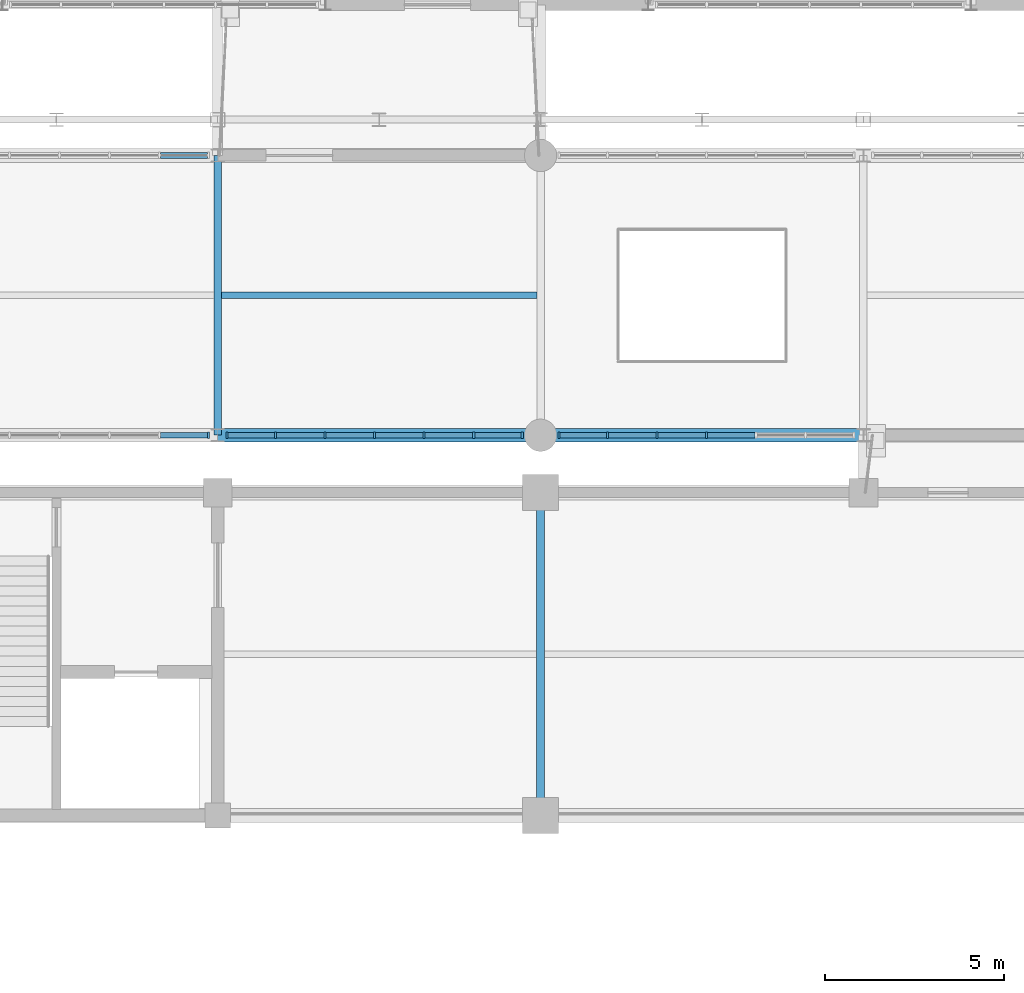
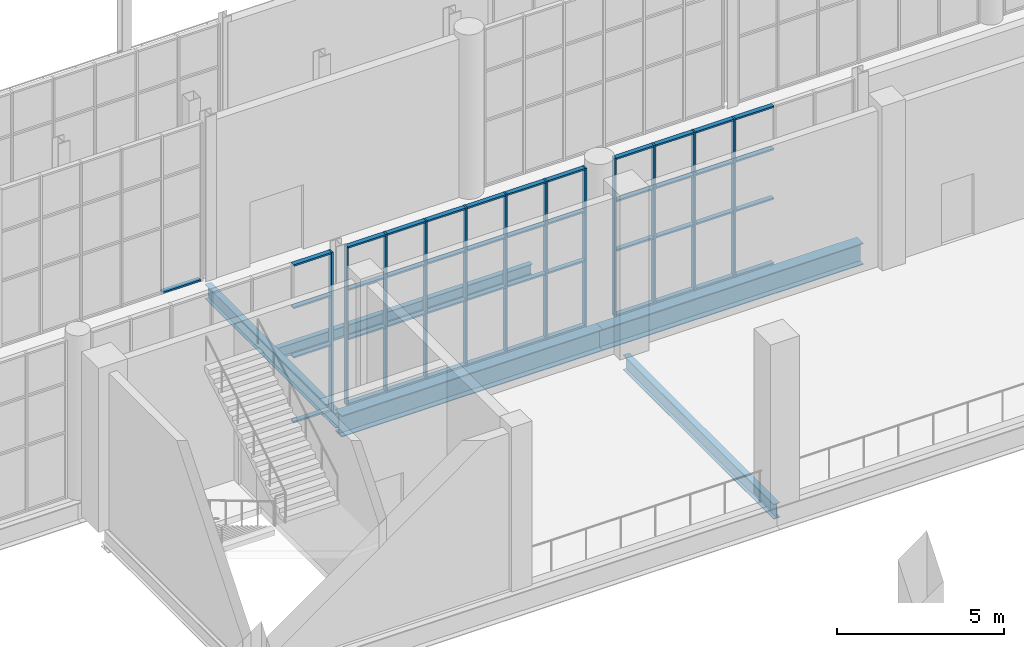
# One storey, part 40 of 159: 57 members, 5 beams, 4 elements without a shape of their own.
"""IFC4 building model written with IfcOpenShell, lengths in metres."""

from ifc_helpers import new_model, si_unit, direction, frame, origin, origin_2d, place, context, subcontext, project, spatial, rectangle, i_section, extrude, material, layer, layer_set, material_profile, profile_set, type_object, element, aggregate, save


model = new_model("IFC4")

# Units and contexts
model_context = context("Model", 3, precision=1e-05, world=origin(), true_north=direction((0.0, 1.0)))
body_context = subcontext(model_context, "Body", "Model", "MODEL_VIEW")
ifc_project = project(units=[si_unit("LENGTHUNIT", "METRE"), si_unit("AREAUNIT", "SQUARE_METRE"), si_unit("VOLUMEUNIT", "CUBIC_METRE"), si_unit("PLANEANGLEUNIT", "RADIAN"), si_unit("MASSUNIT", "GRAM", prefix="KILO")], contexts=[model_context])

# Site, building, storey
site_placement = place(None, origin())
site = spatial("IfcSite", under=ifc_project, at=site_placement, CompositionType="ELEMENT")
building_placement = place(site_placement, origin())
building = spatial("IfcBuilding", under=site, at=building_placement, Name="Cazmaro Siding Exhibition Halls", CompositionType="ELEMENT")
storey_placement = place(building_placement, frame((0.0, 0.0, 6.0)))
storey = spatial("IfcBuildingStorey", under=building, at=storey_placement, Name="L01", CompositionType="ELEMENT", Elevation=6.0)

# Beams
ifc_material_1 = material(Name="Steel ASTM A992 Grade 50", Category="steel")
ifc_material_profile_1 = material_profile(ifc_material_1, i_section(OverallWidth=0.214111328125, OverallDepth=0.549072265625, WebThickness=0.014892578125, FlangeThickness=0.02392578125, at=origin_2d()), Name="W21X93")
ifc_profile_set_1 = profile_set([ifc_material_profile_1], Name="Steel ASTM A992 Grade 50")
beam_type_1 = type_object("IfcBeamType", Name="B-01", PredefinedType="BEAM", material=ifc_profile_set_1)
beam_1_placement = place(storey_placement, frame((90.0, 44.60009765625, -0.52392578125), z_axis=(0.0, 1.0, 0.0), x_axis=(-1.0, 0.0, 0.0)))
element("IfcBeam", 1, at=beam_1_placement, inside=storey, type_object=beam_type_1, Name="Beam B-01 BM-1279", PredefinedType="BEAM", context=body_context, shape_type="SweptSolid", body=[
    extrude(i_section(OverallWidth=0.214111328125, OverallDepth=0.549072265625, WebThickness=0.014892578125, FlangeThickness=0.02392578125, at=origin_2d()), origin(), (0.0, 0.0, 1.0), 9.0),
])
ifc_material_2 = material(Name="Steel ASTM A992 Grade 50", Category="steel")
ifc_material_profile_2 = material_profile(ifc_material_2, i_section(OverallWidth=0.2099609375, OverallDepth=0.535888671875, WebThickness=0.010986328125, FlangeThickness=0.01708984375, at=origin_2d()), Name="W21X68")
ifc_profile_set_2 = profile_set([ifc_material_profile_2], Name="Steel ASTM A992 Grade 50")
beam_type_2 = type_object("IfcBeamType", Name="B-02", PredefinedType="BEAM", material=ifc_profile_set_2)
beam_2_placement = place(storey_placement, frame((81.0, 55.199951171875, -0.488037109375), z_axis=(0.0, 1.0, 0.0), x_axis=(-1.0, 0.0, 0.0)))
element("IfcBeam", 2, at=beam_2_placement, inside=storey, type_object=beam_type_2, Name="Beam B-02 BM-1699", PredefinedType="BEAM", context=body_context, shape_type="SweptSolid", body=[
    extrude(i_section(OverallWidth=0.2099609375, OverallDepth=0.535888671875, WebThickness=0.010986328125, FlangeThickness=0.01708984375, at=origin_2d()), origin(), (0.0, 0.0, 1.0), 7.800048828125),
])

# Curtain wall, member
ifc_material_3 = material(Name="Anodized Bronze Aluminum and Solar-Control Low-E Glazing", Category="aluminium")
ifc_layer = layer(ifc_material_3, 0.179931640625)
ifc_layer_set = layer_set([ifc_layer], Name="Anodized Bronze Aluminum and Solar-Control Low-E Glazing")
curtain_wall_type = type_object("IfcCurtainWallType", Name="CWS-01", PredefinedType="USERDEFINED", material=ifc_layer_set)
curtain_wall_1_placement = place(storey_placement, origin())
curtain_wall_1 = element("IfcCurtainWall", 3, at=curtain_wall_1_placement, inside=storey, type_object=curtain_wall_type, Name="Glazed Curtain Wall CWS-01 CW-163", ObjectType="GLAZED CURTAIN WALL", PredefinedType="USERDEFINED")
ifc_material_4 = material(Name="Anodized Bronze Extruded Aluminum", Category="aluminium")
ifc_material_profile_3 = material_profile(ifc_material_4, rectangle(XDim=0.179931640625, YDim=0.06005859375, at=origin_2d()), Name="CWM-01")
ifc_profile_set_3 = profile_set([ifc_material_profile_3], Name="Anodized Bronze Extruded Aluminum")
member_type_1 = type_object("IfcMemberType", Name="CWM-01", PredefinedType="MULLION", material=ifc_profile_set_3)
member_1_placement = place(storey_placement, frame((80.739990234375, 55.199951171875, 0.0), z_axis=(0.0, 0.0, 1.0), x_axis=(0.0, 1.0, 0.0)))
member_1 = element("IfcMember", 4, at=member_1_placement, type_object=member_type_1, Name="CWS-01 mullion 7", PredefinedType="MULLION", context=body_context, shape_type="SweptSolid", body=[
    extrude(rectangle(XDim=0.179931640625, YDim=0.06005859375, at=origin_2d()), origin(), (0.0, 0.0, 1.0), 5.780029296875),
])

# Curtain wall, members
curtain_wall_2_placement = place(storey_placement, origin())
curtain_wall_2 = element("IfcCurtainWall", 5, at=curtain_wall_2_placement, inside=storey, type_object=curtain_wall_type, Name="Glazed Curtain Wall CWS-01 CW-168", ObjectType="GLAZED CURTAIN WALL", PredefinedType="USERDEFINED")
member_2_placement = place(storey_placement, frame((81.260009765625, 55.199951171875, 0.0), z_axis=(0.0, 0.0, 1.0), x_axis=(0.0, 1.0, 0.0)))
member_2 = element("IfcMember", 6, at=member_2_placement, type_object=member_type_1, Name="CWS-01 mullion 1", PredefinedType="MULLION", context=body_context, shape_type="SweptSolid", body=[
    extrude(rectangle(XDim=0.179931640625, YDim=0.06005859375, at=origin_2d()), origin(), (0.0, 0.0, 1.0), 5.780029296875),
])
member_3_placement = place(storey_placement, frame((82.611083984375, 55.199951171875, 0.0), z_axis=(0.0, 0.0, 1.0), x_axis=(0.0, 1.0, 0.0)))
member_3 = element("IfcMember", 7, at=member_3_placement, type_object=member_type_1, Name="CWS-01 mullion 2", PredefinedType="MULLION", context=body_context, shape_type="SweptSolid", body=[
    extrude(rectangle(XDim=0.179931640625, YDim=0.06005859375, at=origin_2d()), origin(), (0.0, 0.0, 1.0), 5.780029296875),
])
member_4_placement = place(storey_placement, frame((83.992431640625, 55.199951171875, 0.0), z_axis=(0.0, 0.0, 1.0), x_axis=(0.0, 1.0, 0.0)))
member_4 = element("IfcMember", 8, at=member_4_placement, type_object=member_type_1, Name="CWS-01 mullion 3", PredefinedType="MULLION", context=body_context, shape_type="SweptSolid", body=[
    extrude(rectangle(XDim=0.179931640625, YDim=0.06005859375, at=origin_2d()), origin(), (0.0, 0.0, 1.0), 5.780029296875),
])
member_5_placement = place(storey_placement, frame((85.37353515625, 55.199951171875, 0.0), z_axis=(0.0, 0.0, 1.0), x_axis=(0.0, 1.0, 0.0)))
member_5 = element("IfcMember", 9, at=member_5_placement, type_object=member_type_1, Name="CWS-01 mullion 4", PredefinedType="MULLION", context=body_context, shape_type="SweptSolid", body=[
    extrude(rectangle(XDim=0.179931640625, YDim=0.06005859375, at=origin_2d()), origin(), (0.0, 0.0, 1.0), 5.780029296875),
])
member_6_placement = place(storey_placement, frame((86.754638671875, 55.199951171875, 0.0), z_axis=(0.0, 0.0, 1.0), x_axis=(0.0, 1.0, 0.0)))
member_6 = element("IfcMember", 10, at=member_6_placement, type_object=member_type_1, Name="CWS-01 mullion 5", PredefinedType="MULLION", context=body_context, shape_type="SweptSolid", body=[
    extrude(rectangle(XDim=0.179931640625, YDim=0.06005859375, at=origin_2d()), origin(), (0.0, 0.0, 1.0), 5.780029296875),
])
member_7_placement = place(storey_placement, frame((88.1357421875, 55.199951171875, 0.0), z_axis=(0.0, 0.0, 1.0), x_axis=(0.0, 1.0, 0.0)))
member_7 = element("IfcMember", 11, at=member_7_placement, type_object=member_type_1, Name="CWS-01 mullion 6", PredefinedType="MULLION", context=body_context, shape_type="SweptSolid", body=[
    extrude(rectangle(XDim=0.179931640625, YDim=0.06005859375, at=origin_2d()), origin(), (0.0, 0.0, 1.0), 5.780029296875),
])
member_8_placement = place(storey_placement, frame((89.487060546875, 55.199951171875, 0.0), z_axis=(0.0, 0.0, 1.0), x_axis=(0.0, 1.0, 0.0)))
member_8 = element("IfcMember", 12, at=member_8_placement, type_object=member_type_1, Name="CWS-01 mullion 7", PredefinedType="MULLION", context=body_context, shape_type="SweptSolid", body=[
    extrude(rectangle(XDim=0.179931640625, YDim=0.06005859375, at=origin_2d()), origin(), (0.0, 0.0, 1.0), 5.780029296875),
])

curtain_wall_3_placement = place(storey_placement, origin())
curtain_wall_3 = element("IfcCurtainWall", 13, at=curtain_wall_3_placement, inside=storey, type_object=curtain_wall_type, Name="Glazed Curtain Wall CWS-01 CW-172", ObjectType="GLAZED CURTAIN WALL", PredefinedType="USERDEFINED")
member_9_placement = place(storey_placement, frame((90.512939453125, 55.199951171875, 0.0), z_axis=(0.0, 0.0, 1.0), x_axis=(0.0, 1.0, 0.0)))
member_9 = element("IfcMember", 14, at=member_9_placement, type_object=member_type_1, Name="CWS-01 mullion 1", PredefinedType="MULLION", context=body_context, shape_type="SweptSolid", body=[
    extrude(rectangle(XDim=0.179931640625, YDim=0.06005859375, at=origin_2d()), origin(), (0.0, 0.0, 1.0), 5.780029296875),
])
member_10_placement = place(storey_placement, frame((91.8642578125, 55.199951171875, 0.0), z_axis=(0.0, 0.0, 1.0), x_axis=(0.0, 1.0, 0.0)))
member_10 = element("IfcMember", 15, at=member_10_placement, type_object=member_type_1, Name="CWS-01 mullion 2", PredefinedType="MULLION", context=body_context, shape_type="SweptSolid", body=[
    extrude(rectangle(XDim=0.179931640625, YDim=0.06005859375, at=origin_2d()), origin(), (0.0, 0.0, 1.0), 5.780029296875),
])
member_11_placement = place(storey_placement, frame((93.245361328125, 55.199951171875, 0.0), z_axis=(0.0, 0.0, 1.0), x_axis=(0.0, 1.0, 0.0)))
member_11 = element("IfcMember", 16, at=member_11_placement, type_object=member_type_1, Name="CWS-01 mullion 3", PredefinedType="MULLION", context=body_context, shape_type="SweptSolid", body=[
    extrude(rectangle(XDim=0.179931640625, YDim=0.06005859375, at=origin_2d()), origin(), (0.0, 0.0, 1.0), 5.780029296875),
])
member_12_placement = place(storey_placement, frame((94.62646484375, 55.199951171875, 0.0), z_axis=(0.0, 0.0, 1.0), x_axis=(0.0, 1.0, 0.0)))
member_12 = element("IfcMember", 17, at=member_12_placement, type_object=member_type_1, Name="CWS-01 mullion 4", PredefinedType="MULLION", context=body_context, shape_type="SweptSolid", body=[
    extrude(rectangle(XDim=0.179931640625, YDim=0.06005859375, at=origin_2d()), origin(), (0.0, 0.0, 1.0), 5.780029296875),
])

# Member
ifc_material_5 = material(Name="Anodized Bronze Extruded Aluminum", Category="aluminium")
ifc_material_profile_4 = material_profile(ifc_material_5, rectangle(XDim=0.159912109375, YDim=0.06005859375, at=origin_2d()), Name="CWT-01")
ifc_profile_set_4 = profile_set([ifc_material_profile_4], Name="Anodized Bronze Extruded Aluminum")
member_type_2 = type_object("IfcMemberType", Name="CWT-01", PredefinedType="MULLION", material=ifc_profile_set_4)
member_13_placement = place(storey_placement, frame((79.40625, 55.199951171875, 0.030029296875), z_axis=(1.0, 0.0, 0.0), x_axis=(0.0, 1.0, 0.0)))
member_13 = element("IfcMember", 18, at=member_13_placement, type_object=member_type_2, Name="CWS-01 transom 6.1", ObjectType="TRANSOM", PredefinedType="USERDEFINED", context=body_context, shape_type="SweptSolid", body=[
    extrude(rectangle(XDim=0.159912109375, YDim=0.06005859375, at=origin_2d()), origin(), (0.0, 0.0, 1.0), 1.3037109375),
])

member_14_placement = place(storey_placement, frame((79.40625, 55.199951171875, 2.39990234375), z_axis=(1.0, 0.0, 0.0), x_axis=(0.0, 1.0, 0.0)))
member_14 = element("IfcMember", 19, at=member_14_placement, type_object=member_type_2, Name="CWS-01 transom 6.2", ObjectType="TRANSOM", PredefinedType="USERDEFINED", context=body_context, shape_type="SweptSolid", body=[
    extrude(rectangle(XDim=0.159912109375, YDim=0.06005859375, at=origin_2d()), origin(), (0.0, 0.0, 1.0), 1.3037109375),
])

member_15_placement = place(storey_placement, frame((79.40625, 55.199951171875, 4.199951171875), z_axis=(1.0, 0.0, 0.0), x_axis=(0.0, 1.0, 0.0)))
member_15 = element("IfcMember", 20, at=member_15_placement, type_object=member_type_2, Name="CWS-01 transom 6.3", ObjectType="TRANSOM", PredefinedType="USERDEFINED", context=body_context, shape_type="SweptSolid", body=[
    extrude(rectangle(XDim=0.159912109375, YDim=0.06005859375, at=origin_2d()), origin(), (0.0, 0.0, 1.0), 1.3037109375),
])

member_16_placement = place(storey_placement, frame((79.40625, 55.199951171875, 5.75), z_axis=(1.0, 0.0, 0.0), x_axis=(0.0, 1.0, 0.0)))
member_16 = element("IfcMember", 21, at=member_16_placement, type_object=member_type_2, Name="CWS-01 transom 6.4", ObjectType="TRANSOM", PredefinedType="USERDEFINED", context=body_context, shape_type="SweptSolid", body=[
    extrude(rectangle(XDim=0.159912109375, YDim=0.06005859375, at=origin_2d()), origin(), (0.0, 0.0, 1.0), 1.3037109375),
])

aggregate(curtain_wall_1, [member_1, member_13, member_14, member_15, member_16])

# Curtain wall, member
curtain_wall_4_placement = place(storey_placement, origin())
curtain_wall_4 = element("IfcCurtainWall", 22, at=curtain_wall_4_placement, inside=storey, type_object=curtain_wall_type, Name="Glazed Curtain Wall CWS-01 CW-165", ObjectType="GLAZED CURTAIN WALL", PredefinedType="USERDEFINED")
member_17_placement = place(storey_placement, frame((80.7099609375, 63.0, 0.030029296875), z_axis=(-1.0, 0.0, 0.0), x_axis=(0.0, -1.0, 0.0)))
member_17 = element("IfcMember", 23, at=member_17_placement, type_object=member_type_2, Name="CWS-01 transom 1.1", ObjectType="TRANSOM", PredefinedType="USERDEFINED", context=body_context, shape_type="SweptSolid", body=[
    extrude(rectangle(XDim=0.159912109375, YDim=0.06005859375, at=origin_2d()), origin(), (0.0, 0.0, 1.0), 1.3037109375),
])
aggregate(curtain_wall_4, [member_17])

# Member
member_18_placement = place(storey_placement, frame((81.2900390625, 55.199951171875, 0.030029296875), z_axis=(1.0, 0.0, 0.0), x_axis=(0.0, 1.0, 0.0)))
member_18 = element("IfcMember", 24, at=member_18_placement, type_object=member_type_2, Name="CWS-01 transom 1.1", ObjectType="TRANSOM", PredefinedType="USERDEFINED", context=body_context, shape_type="SweptSolid", body=[
    extrude(rectangle(XDim=0.159912109375, YDim=0.06005859375, at=origin_2d()), origin(), (0.0, 0.0, 1.0), 1.291015625),
])

member_19_placement = place(storey_placement, frame((81.2900390625, 55.199951171875, 2.39990234375), z_axis=(1.0, 0.0, 0.0), x_axis=(0.0, 1.0, 0.0)))
member_19 = element("IfcMember", 25, at=member_19_placement, type_object=member_type_2, Name="CWS-01 transom 1.2", ObjectType="TRANSOM", PredefinedType="USERDEFINED", context=body_context, shape_type="SweptSolid", body=[
    extrude(rectangle(XDim=0.159912109375, YDim=0.06005859375, at=origin_2d()), origin(), (0.0, 0.0, 1.0), 1.291015625),
])

member_20_placement = place(storey_placement, frame((81.2900390625, 55.199951171875, 4.199951171875), z_axis=(1.0, 0.0, 0.0), x_axis=(0.0, 1.0, 0.0)))
member_20 = element("IfcMember", 26, at=member_20_placement, type_object=member_type_2, Name="CWS-01 transom 1.3", ObjectType="TRANSOM", PredefinedType="USERDEFINED", context=body_context, shape_type="SweptSolid", body=[
    extrude(rectangle(XDim=0.159912109375, YDim=0.06005859375, at=origin_2d()), origin(), (0.0, 0.0, 1.0), 1.291015625),
])

member_21_placement = place(storey_placement, frame((81.2900390625, 55.199951171875, 5.75), z_axis=(1.0, 0.0, 0.0), x_axis=(0.0, 1.0, 0.0)))
member_21 = element("IfcMember", 27, at=member_21_placement, type_object=member_type_2, Name="CWS-01 transom 1.4", ObjectType="TRANSOM", PredefinedType="USERDEFINED", context=body_context, shape_type="SweptSolid", body=[
    extrude(rectangle(XDim=0.159912109375, YDim=0.06005859375, at=origin_2d()), origin(), (0.0, 0.0, 1.0), 1.291015625),
])

member_22_placement = place(storey_placement, frame((82.64111328125, 55.199951171875, 0.030029296875), z_axis=(1.0, 0.0, 0.0), x_axis=(0.0, 1.0, 0.0)))
member_22 = element("IfcMember", 28, at=member_22_placement, type_object=member_type_2, Name="CWS-01 transom 2.1", ObjectType="TRANSOM", PredefinedType="USERDEFINED", context=body_context, shape_type="SweptSolid", body=[
    extrude(rectangle(XDim=0.159912109375, YDim=0.06005859375, at=origin_2d()), origin(), (0.0, 0.0, 1.0), 1.3212890625),
])

member_23_placement = place(storey_placement, frame((82.64111328125, 55.199951171875, 2.39990234375), z_axis=(1.0, 0.0, 0.0), x_axis=(0.0, 1.0, 0.0)))
member_23 = element("IfcMember", 29, at=member_23_placement, type_object=member_type_2, Name="CWS-01 transom 2.2", ObjectType="TRANSOM", PredefinedType="USERDEFINED", context=body_context, shape_type="SweptSolid", body=[
    extrude(rectangle(XDim=0.159912109375, YDim=0.06005859375, at=origin_2d()), origin(), (0.0, 0.0, 1.0), 1.3212890625),
])

member_24_placement = place(storey_placement, frame((82.64111328125, 55.199951171875, 4.199951171875), z_axis=(1.0, 0.0, 0.0), x_axis=(0.0, 1.0, 0.0)))
member_24 = element("IfcMember", 30, at=member_24_placement, type_object=member_type_2, Name="CWS-01 transom 2.3", ObjectType="TRANSOM", PredefinedType="USERDEFINED", context=body_context, shape_type="SweptSolid", body=[
    extrude(rectangle(XDim=0.159912109375, YDim=0.06005859375, at=origin_2d()), origin(), (0.0, 0.0, 1.0), 1.3212890625),
])

member_25_placement = place(storey_placement, frame((82.64111328125, 55.199951171875, 5.75), z_axis=(1.0, 0.0, 0.0), x_axis=(0.0, 1.0, 0.0)))
member_25 = element("IfcMember", 31, at=member_25_placement, type_object=member_type_2, Name="CWS-01 transom 2.4", ObjectType="TRANSOM", PredefinedType="USERDEFINED", context=body_context, shape_type="SweptSolid", body=[
    extrude(rectangle(XDim=0.159912109375, YDim=0.06005859375, at=origin_2d()), origin(), (0.0, 0.0, 1.0), 1.3212890625),
])

member_26_placement = place(storey_placement, frame((84.022216796875, 55.199951171875, 0.030029296875), z_axis=(1.0, 0.0, 0.0), x_axis=(0.0, 1.0, 0.0)))
member_26 = element("IfcMember", 32, at=member_26_placement, type_object=member_type_2, Name="CWS-01 transom 3.1", ObjectType="TRANSOM", PredefinedType="USERDEFINED", context=body_context, shape_type="SweptSolid", body=[
    extrude(rectangle(XDim=0.159912109375, YDim=0.06005859375, at=origin_2d()), origin(), (0.0, 0.0, 1.0), 1.3212890625),
])

member_27_placement = place(storey_placement, frame((84.022216796875, 55.199951171875, 2.39990234375), z_axis=(1.0, 0.0, 0.0), x_axis=(0.0, 1.0, 0.0)))
member_27 = element("IfcMember", 33, at=member_27_placement, type_object=member_type_2, Name="CWS-01 transom 3.2", ObjectType="TRANSOM", PredefinedType="USERDEFINED", context=body_context, shape_type="SweptSolid", body=[
    extrude(rectangle(XDim=0.159912109375, YDim=0.06005859375, at=origin_2d()), origin(), (0.0, 0.0, 1.0), 1.3212890625),
])

member_28_placement = place(storey_placement, frame((84.022216796875, 55.199951171875, 4.199951171875), z_axis=(1.0, 0.0, 0.0), x_axis=(0.0, 1.0, 0.0)))
member_28 = element("IfcMember", 34, at=member_28_placement, type_object=member_type_2, Name="CWS-01 transom 3.3", ObjectType="TRANSOM", PredefinedType="USERDEFINED", context=body_context, shape_type="SweptSolid", body=[
    extrude(rectangle(XDim=0.159912109375, YDim=0.06005859375, at=origin_2d()), origin(), (0.0, 0.0, 1.0), 1.3212890625),
])

member_29_placement = place(storey_placement, frame((84.022216796875, 55.199951171875, 5.75), z_axis=(1.0, 0.0, 0.0), x_axis=(0.0, 1.0, 0.0)))
member_29 = element("IfcMember", 35, at=member_29_placement, type_object=member_type_2, Name="CWS-01 transom 3.4", ObjectType="TRANSOM", PredefinedType="USERDEFINED", context=body_context, shape_type="SweptSolid", body=[
    extrude(rectangle(XDim=0.159912109375, YDim=0.06005859375, at=origin_2d()), origin(), (0.0, 0.0, 1.0), 1.3212890625),
])

member_30_placement = place(storey_placement, frame((85.403564453125, 55.199951171875, 0.030029296875), z_axis=(1.0, 0.0, 0.0), x_axis=(0.0, 1.0, 0.0)))
member_30 = element("IfcMember", 36, at=member_30_placement, type_object=member_type_2, Name="CWS-01 transom 4.1", ObjectType="TRANSOM", PredefinedType="USERDEFINED", context=body_context, shape_type="SweptSolid", body=[
    extrude(rectangle(XDim=0.159912109375, YDim=0.06005859375, at=origin_2d()), origin(), (0.0, 0.0, 1.0), 1.321044921875),
])

member_31_placement = place(storey_placement, frame((85.403564453125, 55.199951171875, 2.39990234375), z_axis=(1.0, 0.0, 0.0), x_axis=(0.0, 1.0, 0.0)))
member_31 = element("IfcMember", 37, at=member_31_placement, type_object=member_type_2, Name="CWS-01 transom 4.2", ObjectType="TRANSOM", PredefinedType="USERDEFINED", context=body_context, shape_type="SweptSolid", body=[
    extrude(rectangle(XDim=0.159912109375, YDim=0.06005859375, at=origin_2d()), origin(), (0.0, 0.0, 1.0), 1.321044921875),
])

member_32_placement = place(storey_placement, frame((85.403564453125, 55.199951171875, 4.199951171875), z_axis=(1.0, 0.0, 0.0), x_axis=(0.0, 1.0, 0.0)))
member_32 = element("IfcMember", 38, at=member_32_placement, type_object=member_type_2, Name="CWS-01 transom 4.3", ObjectType="TRANSOM", PredefinedType="USERDEFINED", context=body_context, shape_type="SweptSolid", body=[
    extrude(rectangle(XDim=0.159912109375, YDim=0.06005859375, at=origin_2d()), origin(), (0.0, 0.0, 1.0), 1.321044921875),
])

member_33_placement = place(storey_placement, frame((85.403564453125, 55.199951171875, 5.75), z_axis=(1.0, 0.0, 0.0), x_axis=(0.0, 1.0, 0.0)))
member_33 = element("IfcMember", 39, at=member_33_placement, type_object=member_type_2, Name="CWS-01 transom 4.4", ObjectType="TRANSOM", PredefinedType="USERDEFINED", context=body_context, shape_type="SweptSolid", body=[
    extrude(rectangle(XDim=0.159912109375, YDim=0.06005859375, at=origin_2d()), origin(), (0.0, 0.0, 1.0), 1.321044921875),
])

member_34_placement = place(storey_placement, frame((86.78466796875, 55.199951171875, 0.030029296875), z_axis=(1.0, 0.0, 0.0), x_axis=(0.0, 1.0, 0.0)))
member_34 = element("IfcMember", 40, at=member_34_placement, type_object=member_type_2, Name="CWS-01 transom 5.1", ObjectType="TRANSOM", PredefinedType="USERDEFINED", context=body_context, shape_type="SweptSolid", body=[
    extrude(rectangle(XDim=0.159912109375, YDim=0.06005859375, at=origin_2d()), origin(), (0.0, 0.0, 1.0), 1.321044921875),
])

member_35_placement = place(storey_placement, frame((86.78466796875, 55.199951171875, 2.39990234375), z_axis=(1.0, 0.0, 0.0), x_axis=(0.0, 1.0, 0.0)))
member_35 = element("IfcMember", 41, at=member_35_placement, type_object=member_type_2, Name="CWS-01 transom 5.2", ObjectType="TRANSOM", PredefinedType="USERDEFINED", context=body_context, shape_type="SweptSolid", body=[
    extrude(rectangle(XDim=0.159912109375, YDim=0.06005859375, at=origin_2d()), origin(), (0.0, 0.0, 1.0), 1.321044921875),
])

member_36_placement = place(storey_placement, frame((86.78466796875, 55.199951171875, 4.199951171875), z_axis=(1.0, 0.0, 0.0), x_axis=(0.0, 1.0, 0.0)))
member_36 = element("IfcMember", 42, at=member_36_placement, type_object=member_type_2, Name="CWS-01 transom 5.3", ObjectType="TRANSOM", PredefinedType="USERDEFINED", context=body_context, shape_type="SweptSolid", body=[
    extrude(rectangle(XDim=0.159912109375, YDim=0.06005859375, at=origin_2d()), origin(), (0.0, 0.0, 1.0), 1.321044921875),
])

member_37_placement = place(storey_placement, frame((86.78466796875, 55.199951171875, 5.75), z_axis=(1.0, 0.0, 0.0), x_axis=(0.0, 1.0, 0.0)))
member_37 = element("IfcMember", 43, at=member_37_placement, type_object=member_type_2, Name="CWS-01 transom 5.4", ObjectType="TRANSOM", PredefinedType="USERDEFINED", context=body_context, shape_type="SweptSolid", body=[
    extrude(rectangle(XDim=0.159912109375, YDim=0.06005859375, at=origin_2d()), origin(), (0.0, 0.0, 1.0), 1.321044921875),
])

member_38_placement = place(storey_placement, frame((88.165771484375, 55.199951171875, 0.030029296875), z_axis=(1.0, 0.0, 0.0), x_axis=(0.0, 1.0, 0.0)))
member_38 = element("IfcMember", 44, at=member_38_placement, type_object=member_type_2, Name="CWS-01 transom 6.1", ObjectType="TRANSOM", PredefinedType="USERDEFINED", context=body_context, shape_type="SweptSolid", body=[
    extrude(rectangle(XDim=0.159912109375, YDim=0.06005859375, at=origin_2d()), origin(), (0.0, 0.0, 1.0), 1.291259765625),
])

member_39_placement = place(storey_placement, frame((88.165771484375, 55.199951171875, 2.39990234375), z_axis=(1.0, 0.0, 0.0), x_axis=(0.0, 1.0, 0.0)))
member_39 = element("IfcMember", 45, at=member_39_placement, type_object=member_type_2, Name="CWS-01 transom 6.2", ObjectType="TRANSOM", PredefinedType="USERDEFINED", context=body_context, shape_type="SweptSolid", body=[
    extrude(rectangle(XDim=0.159912109375, YDim=0.06005859375, at=origin_2d()), origin(), (0.0, 0.0, 1.0), 1.291259765625),
])

member_40_placement = place(storey_placement, frame((88.165771484375, 55.199951171875, 4.199951171875), z_axis=(1.0, 0.0, 0.0), x_axis=(0.0, 1.0, 0.0)))
member_40 = element("IfcMember", 46, at=member_40_placement, type_object=member_type_2, Name="CWS-01 transom 6.3", ObjectType="TRANSOM", PredefinedType="USERDEFINED", context=body_context, shape_type="SweptSolid", body=[
    extrude(rectangle(XDim=0.159912109375, YDim=0.06005859375, at=origin_2d()), origin(), (0.0, 0.0, 1.0), 1.291259765625),
])

member_41_placement = place(storey_placement, frame((88.165771484375, 55.199951171875, 5.75), z_axis=(1.0, 0.0, 0.0), x_axis=(0.0, 1.0, 0.0)))
member_41 = element("IfcMember", 47, at=member_41_placement, type_object=member_type_2, Name="CWS-01 transom 6.4", ObjectType="TRANSOM", PredefinedType="USERDEFINED", context=body_context, shape_type="SweptSolid", body=[
    extrude(rectangle(XDim=0.159912109375, YDim=0.06005859375, at=origin_2d()), origin(), (0.0, 0.0, 1.0), 1.291259765625),
])

aggregate(curtain_wall_2, [member_2, member_3, member_4, member_5, member_6, member_7, member_8, member_18, member_19, member_20, member_21, member_22, member_23, member_24, member_25, member_26, member_27, member_28, member_29, member_30, member_31, member_32, member_33, member_34, member_35, member_36, member_37, member_38, member_39, member_40, member_41])

member_42_placement = place(storey_placement, frame((90.54296875, 55.199951171875, 0.030029296875), z_axis=(1.0, 0.0, 0.0), x_axis=(0.0, 1.0, 0.0)))
member_42 = element("IfcMember", 48, at=member_42_placement, type_object=member_type_2, Name="CWS-01 transom 1.1", ObjectType="TRANSOM", PredefinedType="USERDEFINED", context=body_context, shape_type="SweptSolid", body=[
    extrude(rectangle(XDim=0.159912109375, YDim=0.06005859375, at=origin_2d()), origin(), (0.0, 0.0, 1.0), 1.291259765625),
])

member_43_placement = place(storey_placement, frame((90.54296875, 55.199951171875, 2.39990234375), z_axis=(1.0, 0.0, 0.0), x_axis=(0.0, 1.0, 0.0)))
member_43 = element("IfcMember", 49, at=member_43_placement, type_object=member_type_2, Name="CWS-01 transom 1.2", ObjectType="TRANSOM", PredefinedType="USERDEFINED", context=body_context, shape_type="SweptSolid", body=[
    extrude(rectangle(XDim=0.159912109375, YDim=0.06005859375, at=origin_2d()), origin(), (0.0, 0.0, 1.0), 1.291259765625),
])

member_44_placement = place(storey_placement, frame((90.54296875, 55.199951171875, 4.199951171875), z_axis=(1.0, 0.0, 0.0), x_axis=(0.0, 1.0, 0.0)))
member_44 = element("IfcMember", 50, at=member_44_placement, type_object=member_type_2, Name="CWS-01 transom 1.3", ObjectType="TRANSOM", PredefinedType="USERDEFINED", context=body_context, shape_type="SweptSolid", body=[
    extrude(rectangle(XDim=0.159912109375, YDim=0.06005859375, at=origin_2d()), origin(), (0.0, 0.0, 1.0), 1.291259765625),
])

member_45_placement = place(storey_placement, frame((90.54296875, 55.199951171875, 5.75), z_axis=(1.0, 0.0, 0.0), x_axis=(0.0, 1.0, 0.0)))
member_45 = element("IfcMember", 51, at=member_45_placement, type_object=member_type_2, Name="CWS-01 transom 1.4", ObjectType="TRANSOM", PredefinedType="USERDEFINED", context=body_context, shape_type="SweptSolid", body=[
    extrude(rectangle(XDim=0.159912109375, YDim=0.06005859375, at=origin_2d()), origin(), (0.0, 0.0, 1.0), 1.291259765625),
])

member_46_placement = place(storey_placement, frame((91.894287109375, 55.199951171875, 0.030029296875), z_axis=(1.0, 0.0, 0.0), x_axis=(0.0, 1.0, 0.0)))
member_46 = element("IfcMember", 52, at=member_46_placement, type_object=member_type_2, Name="CWS-01 transom 2.1", ObjectType="TRANSOM", PredefinedType="USERDEFINED", context=body_context, shape_type="SweptSolid", body=[
    extrude(rectangle(XDim=0.159912109375, YDim=0.06005859375, at=origin_2d()), origin(), (0.0, 0.0, 1.0), 1.321044921875),
])

member_47_placement = place(storey_placement, frame((91.894287109375, 55.199951171875, 2.39990234375), z_axis=(1.0, 0.0, 0.0), x_axis=(0.0, 1.0, 0.0)))
member_47 = element("IfcMember", 53, at=member_47_placement, type_object=member_type_2, Name="CWS-01 transom 2.2", ObjectType="TRANSOM", PredefinedType="USERDEFINED", context=body_context, shape_type="SweptSolid", body=[
    extrude(rectangle(XDim=0.159912109375, YDim=0.06005859375, at=origin_2d()), origin(), (0.0, 0.0, 1.0), 1.321044921875),
])

member_48_placement = place(storey_placement, frame((91.894287109375, 55.199951171875, 4.199951171875), z_axis=(1.0, 0.0, 0.0), x_axis=(0.0, 1.0, 0.0)))
member_48 = element("IfcMember", 54, at=member_48_placement, type_object=member_type_2, Name="CWS-01 transom 2.3", ObjectType="TRANSOM", PredefinedType="USERDEFINED", context=body_context, shape_type="SweptSolid", body=[
    extrude(rectangle(XDim=0.159912109375, YDim=0.06005859375, at=origin_2d()), origin(), (0.0, 0.0, 1.0), 1.321044921875),
])

member_49_placement = place(storey_placement, frame((91.894287109375, 55.199951171875, 5.75), z_axis=(1.0, 0.0, 0.0), x_axis=(0.0, 1.0, 0.0)))
member_49 = element("IfcMember", 55, at=member_49_placement, type_object=member_type_2, Name="CWS-01 transom 2.4", ObjectType="TRANSOM", PredefinedType="USERDEFINED", context=body_context, shape_type="SweptSolid", body=[
    extrude(rectangle(XDim=0.159912109375, YDim=0.06005859375, at=origin_2d()), origin(), (0.0, 0.0, 1.0), 1.321044921875),
])

member_50_placement = place(storey_placement, frame((93.275390625, 55.199951171875, 0.030029296875), z_axis=(1.0, 0.0, 0.0), x_axis=(0.0, 1.0, 0.0)))
member_50 = element("IfcMember", 56, at=member_50_placement, type_object=member_type_2, Name="CWS-01 transom 3.1", ObjectType="TRANSOM", PredefinedType="USERDEFINED", context=body_context, shape_type="SweptSolid", body=[
    extrude(rectangle(XDim=0.159912109375, YDim=0.06005859375, at=origin_2d()), origin(), (0.0, 0.0, 1.0), 1.321044921875),
])

member_51_placement = place(storey_placement, frame((93.275390625, 55.199951171875, 2.39990234375), z_axis=(1.0, 0.0, 0.0), x_axis=(0.0, 1.0, 0.0)))
member_51 = element("IfcMember", 57, at=member_51_placement, type_object=member_type_2, Name="CWS-01 transom 3.2", ObjectType="TRANSOM", PredefinedType="USERDEFINED", context=body_context, shape_type="SweptSolid", body=[
    extrude(rectangle(XDim=0.159912109375, YDim=0.06005859375, at=origin_2d()), origin(), (0.0, 0.0, 1.0), 1.321044921875),
])

member_52_placement = place(storey_placement, frame((93.275390625, 55.199951171875, 4.199951171875), z_axis=(1.0, 0.0, 0.0), x_axis=(0.0, 1.0, 0.0)))
member_52 = element("IfcMember", 58, at=member_52_placement, type_object=member_type_2, Name="CWS-01 transom 3.3", ObjectType="TRANSOM", PredefinedType="USERDEFINED", context=body_context, shape_type="SweptSolid", body=[
    extrude(rectangle(XDim=0.159912109375, YDim=0.06005859375, at=origin_2d()), origin(), (0.0, 0.0, 1.0), 1.321044921875),
])

member_53_placement = place(storey_placement, frame((93.275390625, 55.199951171875, 5.75), z_axis=(1.0, 0.0, 0.0), x_axis=(0.0, 1.0, 0.0)))
member_53 = element("IfcMember", 59, at=member_53_placement, type_object=member_type_2, Name="CWS-01 transom 3.4", ObjectType="TRANSOM", PredefinedType="USERDEFINED", context=body_context, shape_type="SweptSolid", body=[
    extrude(rectangle(XDim=0.159912109375, YDim=0.06005859375, at=origin_2d()), origin(), (0.0, 0.0, 1.0), 1.321044921875),
])

member_54_placement = place(storey_placement, frame((94.656494140625, 55.199951171875, 0.030029296875), z_axis=(1.0, 0.0, 0.0), x_axis=(0.0, 1.0, 0.0)))
member_54 = element("IfcMember", 60, at=member_54_placement, type_object=member_type_2, Name="CWS-01 transom 4.1", ObjectType="TRANSOM", PredefinedType="USERDEFINED", context=body_context, shape_type="SweptSolid", body=[
    extrude(rectangle(XDim=0.159912109375, YDim=0.06005859375, at=origin_2d()), origin(), (0.0, 0.0, 1.0), 1.3212890625),
])

member_55_placement = place(storey_placement, frame((94.656494140625, 55.199951171875, 2.39990234375), z_axis=(1.0, 0.0, 0.0), x_axis=(0.0, 1.0, 0.0)))
member_55 = element("IfcMember", 61, at=member_55_placement, type_object=member_type_2, Name="CWS-01 transom 4.2", ObjectType="TRANSOM", PredefinedType="USERDEFINED", context=body_context, shape_type="SweptSolid", body=[
    extrude(rectangle(XDim=0.159912109375, YDim=0.06005859375, at=origin_2d()), origin(), (0.0, 0.0, 1.0), 1.3212890625),
])

member_56_placement = place(storey_placement, frame((94.656494140625, 55.199951171875, 4.199951171875), z_axis=(1.0, 0.0, 0.0), x_axis=(0.0, 1.0, 0.0)))
member_56 = element("IfcMember", 62, at=member_56_placement, type_object=member_type_2, Name="CWS-01 transom 4.3", ObjectType="TRANSOM", PredefinedType="USERDEFINED", context=body_context, shape_type="SweptSolid", body=[
    extrude(rectangle(XDim=0.159912109375, YDim=0.06005859375, at=origin_2d()), origin(), (0.0, 0.0, 1.0), 1.3212890625),
])

member_57_placement = place(storey_placement, frame((94.656494140625, 55.199951171875, 5.75), z_axis=(1.0, 0.0, 0.0), x_axis=(0.0, 1.0, 0.0)))
member_57 = element("IfcMember", 63, at=member_57_placement, type_object=member_type_2, Name="CWS-01 transom 4.4", ObjectType="TRANSOM", PredefinedType="USERDEFINED", context=body_context, shape_type="SweptSolid", body=[
    extrude(rectangle(XDim=0.159912109375, YDim=0.06005859375, at=origin_2d()), origin(), (0.0, 0.0, 1.0), 1.3212890625),
])

aggregate(curtain_wall_3, [member_9, member_10, member_11, member_12, member_42, member_43, member_44, member_45, member_46, member_47, member_48, member_49, member_50, member_51, member_52, member_53, member_54, member_55, member_56, member_57])

# Beams
ifc_material_6 = material(Name="Steel ASTM A992 Grade 50", Category="steel")
ifc_material_profile_5 = material_profile(ifc_material_6, i_section(OverallWidth=0.381103515625, OverallDepth=0.779052734375, WebThickness=0.01806640625, FlangeThickness=0.030029296875, at=origin_2d()), Name="W30X191")
ifc_profile_set_5 = profile_set([ifc_material_profile_5], Name="Steel ASTM A992 Grade 50")
beam_type_3 = type_object("IfcBeamType", Name="G-04", PredefinedType="USERDEFINED", material=ifc_profile_set_5)
for number, where, z_axis, x_axis, name in (
    (64, (81.0, 55.199951171875, -0.60888671875), (1.0, 0.0, 0.0), (0.0, 1.0, 0.0), "Beam G-04 BM-1610"),
    (65, (90.0, 55.199951171875, -0.60888671875), (1.0, 0.0, 0.0), (0.0, 1.0, 0.0), "Beam G-04 BM-1619"),
):
    element("IfcBeam", number, at=place(storey_placement, frame(where, z_axis=z_axis, x_axis=x_axis)), inside=storey, type_object=beam_type_3, Name=name, ObjectType="GIRDER", PredefinedType="USERDEFINED", context=body_context, shape_type="SweptSolid", body=[
        extrude(i_section(OverallWidth=0.381103515625, OverallDepth=0.779052734375, WebThickness=0.01806640625, FlangeThickness=0.030029296875, at=origin_2d()), origin(), (0.0, 0.0, 1.0), 9.0),
    ])
ifc_material_7 = material(Name="Steel ASTM A992 Grade 50", Category="steel")
ifc_material_profile_6 = material_profile(ifc_material_7, i_section(OverallWidth=0.177978515625, OverallDepth=0.406005859375, WebThickness=0.008056640625, FlangeThickness=0.012939453125, at=origin_2d()), Name="W16X40")
ifc_profile_set_6 = profile_set([ifc_material_profile_6], Name="Steel ASTM A992 Grade 50")
beam_type_4 = type_object("IfcBeamType", Name="J-02", PredefinedType="JOIST", material=ifc_profile_set_6)
beam_3_placement = place(storey_placement, frame((81.10498046875, 59.10009765625, -0.423095703125), z_axis=(1.0, 0.0, 0.0), x_axis=(0.0, 1.0, 0.0)))
element("IfcBeam", 66, at=beam_3_placement, inside=storey, type_object=beam_type_4, Name="Beam J-02 BM-1612", PredefinedType="JOIST", context=body_context, shape_type="SweptSolid", body=[
    extrude(i_section(OverallWidth=0.177978515625, OverallDepth=0.406005859375, WebThickness=0.008056640625, FlangeThickness=0.012939453125, at=origin_2d()), origin(), (0.0, 0.0, 1.0), 8.7900390625),
])

save(model, "model.ifc")
